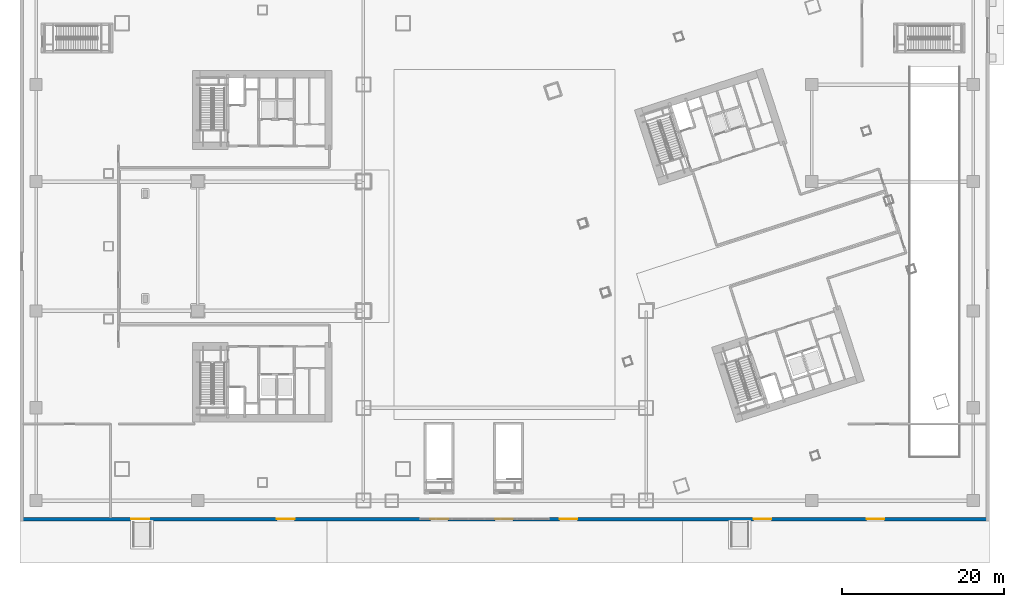
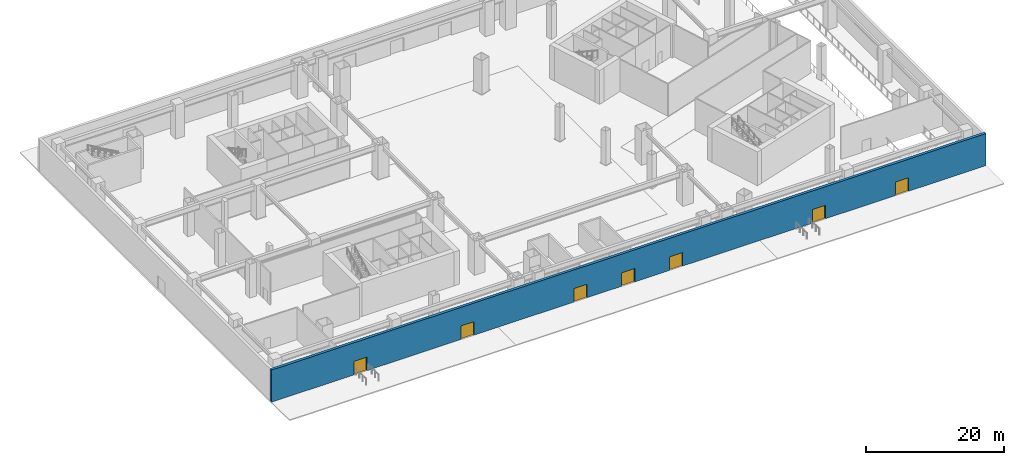
# One storey, part 13 of 31: 7 doors, 1 wall, 7 openings.
"""IFC4 building model written with IfcOpenShell, lengths in metres."""

from ifc_helpers import new_model, si_unit, direction, frame, frame_2d, origin, place, context, subcontext, project, spatial, rectangle, extrude, material, layer, layer_set, type_object, element, fill, save


model = new_model("IFC4")

# Units and contexts
model_context = context("Model", 3, precision=1e-05, world=origin(), true_north=direction((0.0, 1.0)))
body_context = subcontext(model_context, "Body", "Model", "MODEL_VIEW")
ifc_project = project(units=[si_unit("LENGTHUNIT", "METRE"), si_unit("AREAUNIT", "SQUARE_METRE"), si_unit("VOLUMEUNIT", "CUBIC_METRE"), si_unit("PLANEANGLEUNIT", "RADIAN"), si_unit("MASSUNIT", "GRAM", prefix="KILO")], contexts=[model_context])

# Site, building, storey
site_placement = place(None, origin())
site = spatial("IfcSite", under=ifc_project, at=site_placement, CompositionType="ELEMENT")
building_placement = place(site_placement, origin())
building = spatial("IfcBuilding", under=site, at=building_placement, Name="Qiaolan Cultural Towers", CompositionType="ELEMENT")
storey_placement = place(building_placement, origin())
storey = spatial("IfcBuildingStorey", under=building, at=storey_placement, Name="L00", CompositionType="ELEMENT", Elevation=0.0)

# Wall, openings, doors
ifc_material_1 = material(Name="Precast Concrete C50 Bush-Hammered Granite Pier", Category="masonry")
ifc_layer = layer(ifc_material_1, 0.449951171875)
ifc_layer_set = layer_set([ifc_layer], Name="Precast Concrete C50 Bush-Hammered Granite Pier")
wall_type = type_object("IfcWallType", Name="WL-EXT-POD-450", PredefinedType="SOLIDWALL", material=ifc_layer_set)
wall_placement = place(storey_placement, frame((120.0, 0.22509765625, 0.0), z_axis=(0.0, 0.0, 1.0), x_axis=(-1.0, 0.0, 0.0)))
wall = element("IfcWall", 1, at=wall_placement, inside=storey, type_object=wall_type, Name="L00 Podium Precast Facade Wall SOUTH", PredefinedType="SOLIDWALL", context=body_context, shape_type="SweptSolid", body=[
    extrude(rectangle(XDim=120.0, YDim=0.449951171875, at=frame_2d((60.0, 0.0))), origin(), (0.0, 0.0, 1.0), 5.699951171875),
])
opening_1_placement = place(wall_placement, frame((13.0, 0.0, 0.0)))
opening_1 = element("IfcOpeningElement", 2, at=opening_1_placement, cuts=wall, Name="Opening EX-01", PredefinedType="OPENING", context=body_context, shape_type="SweptSolid", body=[
    extrude(rectangle(XDim=2.199951171875, YDim=2.39990234375, at=frame_2d((1.10009765625, 1.199951171875))), frame((0.0, 0.23486328125, 0.0), z_axis=(0.0, -1.0, 0.0), x_axis=(1.0, 0.0, 0.0)), (0.0, 0.0, 1.0), 0.469970703125),
])
opening_2_placement = place(wall_placement, frame((27.0, 0.0, 0.0)))
opening_2 = element("IfcOpeningElement", 3, at=opening_2_placement, cuts=wall, Name="Opening EX-02", PredefinedType="OPENING", context=body_context, shape_type="SweptSolid", body=[
    extrude(rectangle(XDim=2.199951171875, YDim=2.39990234375, at=frame_2d((1.10009765625, 1.199951171875))), frame((0.0, 0.23486328125, 0.0), z_axis=(0.0, -1.0, 0.0), x_axis=(1.0, 0.0, 0.0)), (0.0, 0.0, 1.0), 0.469970703125),
])
opening_3_placement = place(wall_placement, frame((51.0, 0.0, 0.0)))
opening_3 = element("IfcOpeningElement", 4, at=opening_3_placement, cuts=wall, Name="Opening EX-03", PredefinedType="OPENING", context=body_context, shape_type="SweptSolid", body=[
    extrude(rectangle(XDim=2.199951171875, YDim=2.39990234375, at=frame_2d((1.10009765625, 1.199951171875))), frame((0.0, 0.23486328125, 0.0), z_axis=(0.0, -1.0, 0.0), x_axis=(1.0, 0.0, 0.0)), (0.0, 0.0, 1.0), 0.469970703125),
])
opening_4_placement = place(wall_placement, frame((59.0, 0.0, 0.0)))
opening_4 = element("IfcOpeningElement", 5, at=opening_4_placement, cuts=wall, Name="Opening EX-04", PredefinedType="OPENING", context=body_context, shape_type="SweptSolid", body=[
    extrude(rectangle(XDim=2.199951171875, YDim=2.39990234375, at=frame_2d((1.10009765625, 1.199951171875))), frame((0.0, 0.23486328125, 0.0), z_axis=(0.0, -1.0, 0.0), x_axis=(1.0, 0.0, 0.0)), (0.0, 0.0, 1.0), 0.469970703125),
])
opening_5_placement = place(wall_placement, frame((67.0, 0.0, 0.0)))
opening_5 = element("IfcOpeningElement", 6, at=opening_5_placement, cuts=wall, Name="Opening EX-05", PredefinedType="OPENING", context=body_context, shape_type="SweptSolid", body=[
    extrude(rectangle(XDim=2.199951171875, YDim=2.39990234375, at=frame_2d((1.10009765625, 1.199951171875))), frame((0.0, 0.23486328125, 0.0), z_axis=(0.0, -1.0, 0.0), x_axis=(1.0, 0.0, 0.0)), (0.0, 0.0, 1.0), 0.469970703125),
])
opening_6_placement = place(wall_placement, frame((86.0, 0.0, 0.0)))
opening_6 = element("IfcOpeningElement", 7, at=opening_6_placement, cuts=wall, Name="Opening EX-06", PredefinedType="OPENING", context=body_context, shape_type="SweptSolid", body=[
    extrude(rectangle(XDim=2.199951171875, YDim=2.39990234375, at=frame_2d((1.10009765625, 1.199951171875))), frame((0.0, 0.23486328125, 0.0), z_axis=(0.0, -1.0, 0.0), x_axis=(1.0, 0.0, 0.0)), (0.0, 0.0, 1.0), 0.469970703125),
])
opening_7_placement = place(wall_placement, frame((104.0, 0.0, 0.0)))
opening_7 = element("IfcOpeningElement", 8, at=opening_7_placement, cuts=wall, Name="Opening EX-07", PredefinedType="OPENING", context=body_context, shape_type="SweptSolid", body=[
    extrude(rectangle(XDim=2.199951171875, YDim=2.39990234375, at=frame_2d((1.10009765625, 1.199951171875))), frame((0.0, 0.23486328125, 0.0), z_axis=(0.0, -1.0, 0.0), x_axis=(1.0, 0.0, 0.0)), (0.0, 0.0, 1.0), 0.469970703125),
])
ifc_material_2 = material(Name="Anodized Aluminium Framed Tempered Glass Exit Door", Category="aluminium")
door_type = type_object("IfcDoorType", Name="DR-EXIT-2200", OperationType="NOTDEFINED", PredefinedType="DOOR", material=ifc_material_2)
door_1_placement = place(opening_1_placement, origin())
door_1 = element("IfcDoor", 9, at=door_1_placement, inside=storey, type_object=door_type, Name="South Concourse Exit Door EX-01", OperationType="SINGLE_SWING_LEFT", OverallHeight=2.39990234375, OverallWidth=2.199951171875, PredefinedType="DOOR", context=body_context, shape_type="SweptSolid", body=[
    extrude(rectangle(XDim=2.199951171875, YDim=2.39990234375, at=frame_2d((1.10009765625, 1.199951171875))), frame((0.0, 0.02490234375, 0.0), z_axis=(0.0, -1.0, 0.0), x_axis=(1.0, 0.0, 0.0)), (0.0, 0.0, 1.0), 0.050048828125),
])
fill(opening_1, door_1)
door_2_placement = place(opening_2_placement, origin())
door_2 = element("IfcDoor", 10, at=door_2_placement, inside=storey, type_object=door_type, Name="South Concourse Exit Door EX-02", OperationType="SINGLE_SWING_RIGHT", OverallHeight=2.39990234375, OverallWidth=2.199951171875, PredefinedType="DOOR", context=body_context, shape_type="SweptSolid", body=[
    extrude(rectangle(XDim=2.199951171875, YDim=2.39990234375, at=frame_2d((1.10009765625, 1.199951171875))), frame((0.0, 0.02490234375, 0.0), z_axis=(0.0, -1.0, 0.0), x_axis=(1.0, 0.0, 0.0)), (0.0, 0.0, 1.0), 0.050048828125),
])
fill(opening_2, door_2)
door_3_placement = place(opening_3_placement, origin())
door_3 = element("IfcDoor", 11, at=door_3_placement, inside=storey, type_object=door_type, Name="Metro Concourse South Exit Door EX-03", OperationType="SINGLE_SWING_LEFT", OverallHeight=2.39990234375, OverallWidth=2.199951171875, PredefinedType="DOOR", context=body_context, shape_type="SweptSolid", body=[
    extrude(rectangle(XDim=2.199951171875, YDim=2.39990234375, at=frame_2d((1.10009765625, 1.199951171875))), frame((0.0, 0.02490234375, 0.0), z_axis=(0.0, -1.0, 0.0), x_axis=(1.0, 0.0, 0.0)), (0.0, 0.0, 1.0), 0.050048828125),
])
fill(opening_3, door_3)
door_4_placement = place(opening_4_placement, origin())
door_4 = element("IfcDoor", 12, at=door_4_placement, inside=storey, type_object=door_type, Name="Metro Concourse South Exit Door EX-04", OperationType="SINGLE_SWING_RIGHT", OverallHeight=2.39990234375, OverallWidth=2.199951171875, PredefinedType="DOOR", context=body_context, shape_type="SweptSolid", body=[
    extrude(rectangle(XDim=2.199951171875, YDim=2.39990234375, at=frame_2d((1.10009765625, 1.199951171875))), frame((0.0, 0.02490234375, 0.0), z_axis=(0.0, -1.0, 0.0), x_axis=(1.0, 0.0, 0.0)), (0.0, 0.0, 1.0), 0.050048828125),
])
fill(opening_4, door_4)
door_5_placement = place(opening_5_placement, origin())
door_5 = element("IfcDoor", 13, at=door_5_placement, inside=storey, type_object=door_type, Name="Metro Concourse South Exit Door EX-05", OperationType="SINGLE_SWING_LEFT", OverallHeight=2.39990234375, OverallWidth=2.199951171875, PredefinedType="DOOR", context=body_context, shape_type="SweptSolid", body=[
    extrude(rectangle(XDim=2.199951171875, YDim=2.39990234375, at=frame_2d((1.10009765625, 1.199951171875))), frame((0.0, 0.02490234375, 0.0), z_axis=(0.0, -1.0, 0.0), x_axis=(1.0, 0.0, 0.0)), (0.0, 0.0, 1.0), 0.050048828125),
])
fill(opening_5, door_5)
door_6_placement = place(opening_6_placement, origin())
door_6 = element("IfcDoor", 14, at=door_6_placement, inside=storey, type_object=door_type, Name="East Lobby South Exit Door EX-06", OperationType="SINGLE_SWING_RIGHT", OverallHeight=2.39990234375, OverallWidth=2.199951171875, PredefinedType="DOOR", context=body_context, shape_type="SweptSolid", body=[
    extrude(rectangle(XDim=2.199951171875, YDim=2.39990234375, at=frame_2d((1.10009765625, 1.199951171875))), frame((0.0, 0.02490234375, 0.0), z_axis=(0.0, -1.0, 0.0), x_axis=(1.0, 0.0, 0.0)), (0.0, 0.0, 1.0), 0.050048828125),
])
fill(opening_6, door_6)
door_7_placement = place(opening_7_placement, origin())
door_7 = element("IfcDoor", 15, at=door_7_placement, inside=storey, type_object=door_type, Name="Fire Control & West Lobby Exit Door EX-07", OperationType="SINGLE_SWING_LEFT", OverallHeight=2.39990234375, OverallWidth=2.199951171875, PredefinedType="DOOR", context=body_context, shape_type="SweptSolid", body=[
    extrude(rectangle(XDim=2.199951171875, YDim=2.39990234375, at=frame_2d((1.10009765625, 1.199951171875))), frame((0.0, 0.02490234375, 0.0), z_axis=(0.0, -1.0, 0.0), x_axis=(1.0, 0.0, 0.0)), (0.0, 0.0, 1.0), 0.050048828125),
])
fill(opening_7, door_7)

save(model, "model.ifc")
